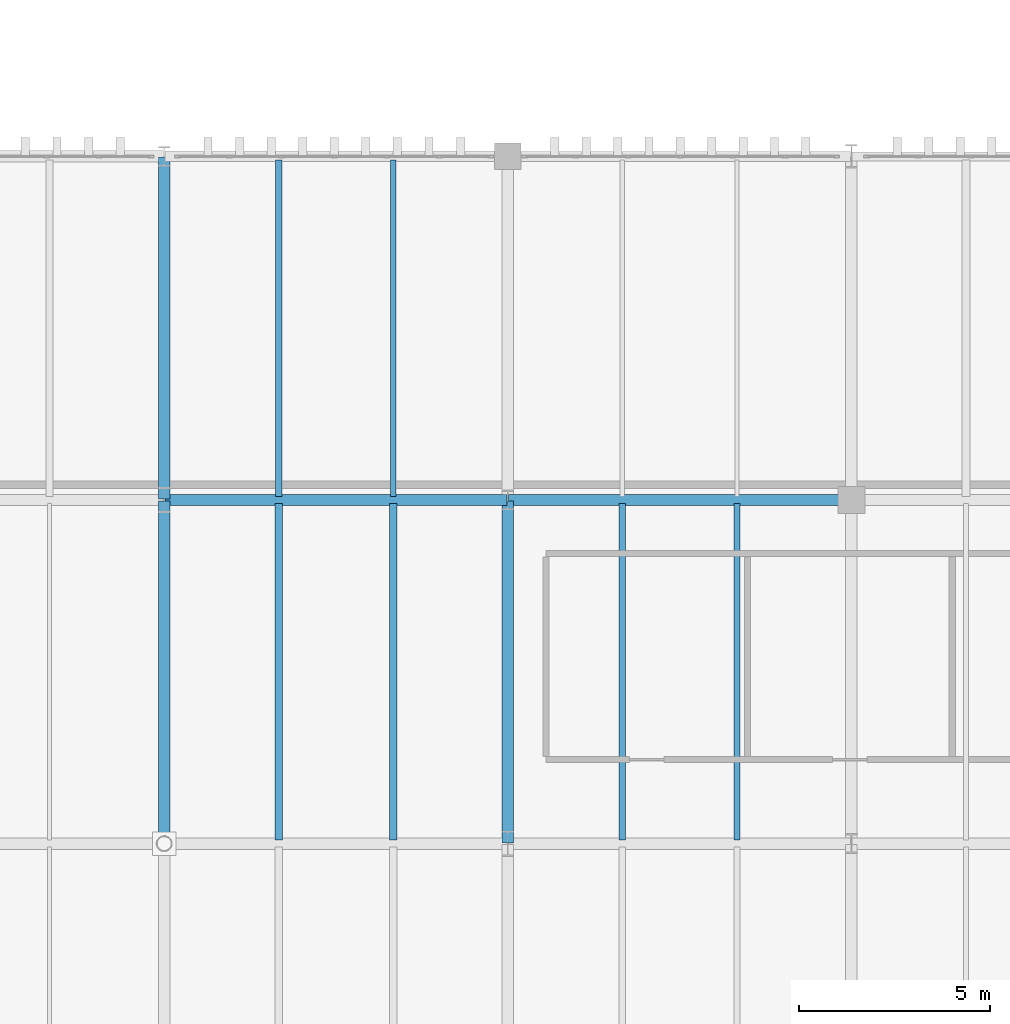
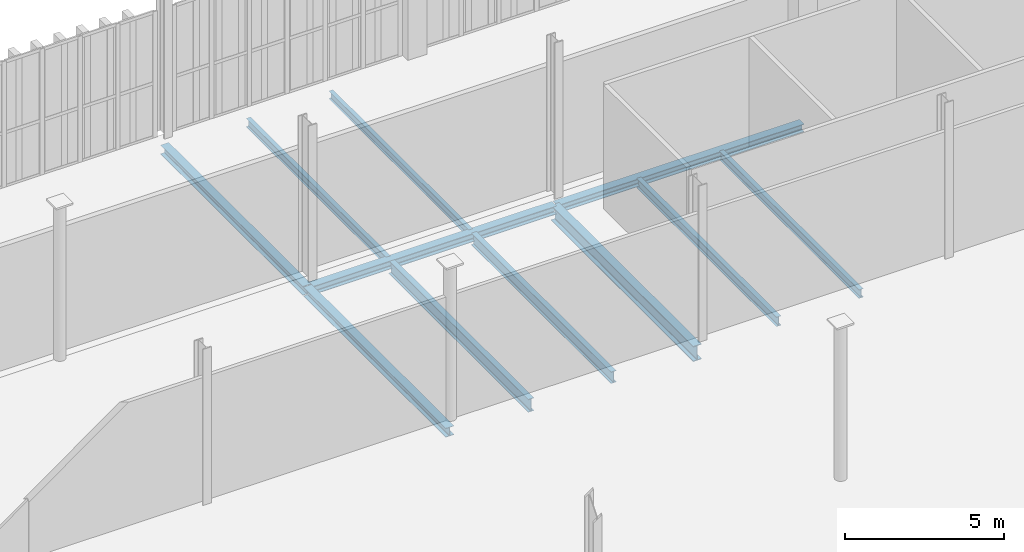
# One storey, part 122 of 237: 11 beams.
"""IFC4 building model written with IfcOpenShell, lengths in metres."""

from ifc_helpers import new_model, si_unit, direction, frame, origin, origin_2d, place, context, subcontext, project, spatial, i_section, extrude, material, material_profile, profile_set, type_object, element, save


model = new_model("IFC4")

# Units and contexts
model_context = context("Model", 3, precision=1e-05, world=origin(), true_north=direction((0.0, 1.0)))
body_context = subcontext(model_context, "Body", "Model", "MODEL_VIEW")
ifc_project = project(units=[si_unit("LENGTHUNIT", "METRE"), si_unit("AREAUNIT", "SQUARE_METRE"), si_unit("VOLUMEUNIT", "CUBIC_METRE"), si_unit("PLANEANGLEUNIT", "RADIAN"), si_unit("MASSUNIT", "GRAM", prefix="KILO")], contexts=[model_context])

# Site, building, storey
site_placement = place(None, origin())
site = spatial("IfcSite", under=ifc_project, at=site_placement, CompositionType="ELEMENT")
building_placement = place(site_placement, origin())
building = spatial("IfcBuilding", under=site, at=building_placement, Name="Barlavento Convention Centre", CompositionType="ELEMENT")
storey_placement = place(building_placement, frame((0.0, 0.0, 12.0)))
storey = spatial("IfcBuildingStorey", under=building, at=storey_placement, Name="L02", CompositionType="ELEMENT", Elevation=12.0)

# Beams
ifc_material = material(Name="Steel S355", Category="steel")
ifc_material_profile_1 = material_profile(ifc_material, i_section(OverallWidth=0.14990234375, OverallDepth=0.300048828125, WebThickness=0.007080078125, FlangeThickness=0.0107421875, FilletRadius=0.014892578125, at=origin_2d()), Name="IPE 300")
ifc_profile_set_1 = profile_set([ifc_material_profile_1], Name="Steel S355")
beam_type_1 = type_object("IfcBeamType", Name="STR-BM-JST-IPE300", PredefinedType="JOIST", material=ifc_profile_set_1)
beam_1_placement = place(storey_placement, frame((150.0, 54.094970703125, -0.52001953125), z_axis=(0.0, 1.0, 0.0), x_axis=(-1.0, 0.0, 0.0)))
element("IfcBeam", 1, at=beam_1_placement, inside=storey, type_object=beam_type_1, Name="L02 composite floor joist SJ07", PredefinedType="JOIST", context=body_context, shape_type="SweptSolid", body=[
    extrude(i_section(OverallWidth=0.14990234375, OverallDepth=0.300048828125, WebThickness=0.007080078125, FlangeThickness=0.0107421875, FilletRadius=0.014892578125, at=origin_2d()), origin(), (0.0, 0.0, 1.0), 8.81005859375),
])
ifc_material_profile_2 = material_profile(ifc_material, i_section(OverallWidth=0.159912109375, OverallDepth=0.330078125, WebThickness=0.007568359375, FlangeThickness=0.011474609375, FilletRadius=0.01806640625, at=origin_2d()), Name="IPE 330")
ifc_profile_set_2 = profile_set([ifc_material_profile_2], Name="Steel S355")
beam_type_2 = type_object("IfcBeamType", Name="STR-BM-JST-IPE330", PredefinedType="JOIST", material=ifc_profile_set_2)
for number, where, z_axis, x_axis, name in (
    (2, (159.0, 45.094970703125, -0.534912109375), (0.0, 1.0, 0.0), (-1.0, 0.0, 0.0), "L02 composite floor joist SJ06"),
    (3, (147.0, 54.094970703125, -0.534912109375), (0.0, 1.0, 0.0), (-1.0, 0.0, 0.0), "L02 composite floor joist SJ06"),
):
    element("IfcBeam", number, at=place(storey_placement, frame(where, z_axis=z_axis, x_axis=x_axis)), inside=storey, type_object=beam_type_2, Name=name, PredefinedType="JOIST", context=body_context, shape_type="SweptSolid", body=[
        extrude(i_section(OverallWidth=0.159912109375, OverallDepth=0.330078125, WebThickness=0.007568359375, FlangeThickness=0.011474609375, FilletRadius=0.01806640625, at=origin_2d()), origin(), (0.0, 0.0, 1.0), 8.81005859375),
    ])
ifc_material_profile_3 = material_profile(ifc_material, i_section(OverallWidth=0.169921875, OverallDepth=0.360107421875, WebThickness=0.008056640625, FlangeThickness=0.0126953125, FilletRadius=0.01806640625, at=origin_2d()), Name="IPE 360")
ifc_profile_set_3 = profile_set([ifc_material_profile_3], Name="Steel S355")
beam_type_3 = type_object("IfcBeamType", Name="STR-BM-JST-IPE360", PredefinedType="JOIST", material=ifc_profile_set_3)
beam_2_placement = place(storey_placement, frame((156.0, 45.094970703125, -0.550048828125), z_axis=(0.0, 1.0, 0.0), x_axis=(-1.0, 0.0, 0.0)))
element("IfcBeam", 4, at=beam_2_placement, inside=storey, type_object=beam_type_3, Name="L02 composite floor joist SJ05", PredefinedType="JOIST", context=body_context, shape_type="SweptSolid", body=[
    extrude(i_section(OverallWidth=0.169921875, OverallDepth=0.360107421875, WebThickness=0.008056640625, FlangeThickness=0.0126953125, FilletRadius=0.01806640625, at=origin_2d()), origin(), (0.0, 0.0, 1.0), 8.81005859375),
])
ifc_material_profile_4 = material_profile(ifc_material, i_section(OverallWidth=0.18994140625, OverallDepth=0.449951171875, WebThickness=0.009521484375, FlangeThickness=0.0146484375, FilletRadius=0.02099609375, at=origin_2d()), Name="IPE 450")
ifc_profile_set_4 = profile_set([ifc_material_profile_4], Name="Steel S355")
beam_type_4 = type_object("IfcBeamType", Name="STR-BM-JST-IPE450", PredefinedType="JOIST", material=ifc_profile_set_4)
beam_3_placement = place(storey_placement, frame((150.0, 45.094970703125, -0.594970703125), z_axis=(0.0, 1.0, 0.0), x_axis=(-1.0, 0.0, 0.0)))
element("IfcBeam", 5, at=beam_3_placement, inside=storey, type_object=beam_type_4, Name="L02 composite floor joist SJ03", PredefinedType="JOIST", context=body_context, shape_type="SweptSolid", body=[
    extrude(i_section(OverallWidth=0.18994140625, OverallDepth=0.449951171875, WebThickness=0.009521484375, FlangeThickness=0.0146484375, FilletRadius=0.02099609375, at=origin_2d()), origin(), (0.0, 0.0, 1.0), 8.81005859375),
])
ifc_material_profile_5 = material_profile(ifc_material, i_section(OverallWidth=0.199951171875, OverallDepth=0.5, WebThickness=0.01025390625, FlangeThickness=0.01611328125, FilletRadius=0.02099609375, at=origin_2d()), Name="IPE 500")
ifc_profile_set_5 = profile_set([ifc_material_profile_5], Name="Steel S355")
beam_type_5 = type_object("IfcBeamType", Name="STR-BM-JST-IPE500", PredefinedType="JOIST", material=ifc_profile_set_5)
beam_4_placement = place(storey_placement, frame((147.0, 45.094970703125, -0.6201171875), z_axis=(0.0, 1.0, 0.0), x_axis=(-1.0, 0.0, 0.0)))
element("IfcBeam", 6, at=beam_4_placement, inside=storey, type_object=beam_type_5, Name="L02 composite floor joist SJ02", PredefinedType="JOIST", context=body_context, shape_type="SweptSolid", body=[
    extrude(i_section(OverallWidth=0.199951171875, OverallDepth=0.5, WebThickness=0.01025390625, FlangeThickness=0.01611328125, FilletRadius=0.02099609375, at=origin_2d()), origin(), (0.0, 0.0, 1.0), 8.81005859375),
])
ifc_material_profile_6 = material_profile(ifc_material, i_section(OverallWidth=0.300048828125, OverallDepth=0.35009765625, WebThickness=0.010009765625, FlangeThickness=0.017578125, FilletRadius=0.027099609375, at=origin_2d()), Name="HEA 360")
ifc_profile_set_6 = profile_set([ifc_material_profile_6], Name="Steel S355")
beam_type_6 = type_object("IfcBeamType", Name="STR-BM-PRI-HEA360", PredefinedType="BEAM", material=ifc_profile_set_6)
for number, where, z_axis, x_axis, name in (
    (7, (144.0, 45.02001953125, -0.544921875), (0.0, 1.0, 0.0), (-1.0, 0.0, 0.0), "L02 grid girder BG23"),
    (8, (144.0, 54.02001953125, -0.544921875), (0.0, 1.0, 0.0), (-1.0, 0.0, 0.0), "L02 grid girder BG23"),
):
    element("IfcBeam", number, at=place(storey_placement, frame(where, z_axis=z_axis, x_axis=x_axis)), inside=storey, type_object=beam_type_6, Name=name, PredefinedType="BEAM", context=body_context, shape_type="SweptSolid", body=[
        extrude(i_section(OverallWidth=0.300048828125, OverallDepth=0.35009765625, WebThickness=0.010009765625, FlangeThickness=0.017578125, FilletRadius=0.027099609375, at=origin_2d()), origin(), (0.0, 0.0, 1.0), 8.9599609375),
    ])
ifc_material_profile_7 = material_profile(ifc_material, i_section(OverallWidth=0.300048828125, OverallDepth=0.590087890625, WebThickness=0.012939453125, FlangeThickness=0.02490234375, FilletRadius=0.027099609375, at=origin_2d()), Name="HEA 600")
ifc_profile_set_7 = profile_set([ifc_material_profile_7], Name="Steel S355")
beam_type_7 = type_object("IfcBeamType", Name="STR-BM-PRI-HEA600", PredefinedType="BEAM", material=ifc_profile_set_7)
beam_5_placement = place(storey_placement, frame((153.0, 45.02001953125, -0.6650390625), z_axis=(0.0, 1.0, 0.0), x_axis=(-1.0, 0.0, 0.0)))
element("IfcBeam", 9, at=beam_5_placement, inside=storey, type_object=beam_type_7, Name="L02 grid girder BG18", PredefinedType="BEAM", context=body_context, shape_type="SweptSolid", body=[
    extrude(i_section(OverallWidth=0.300048828125, OverallDepth=0.590087890625, WebThickness=0.012939453125, FlangeThickness=0.02490234375, FilletRadius=0.027099609375, at=origin_2d()), origin(), (0.0, 0.0, 1.0), 8.9599609375),
])
ifc_material_profile_8 = material_profile(ifc_material, i_section(OverallWidth=0.300048828125, OverallDepth=0.300048828125, WebThickness=0.010986328125, FlangeThickness=0.01904296875, FilletRadius=0.027099609375, at=origin_2d()), Name="HEB 300")
ifc_profile_set_8 = profile_set([ifc_material_profile_8], Name="Steel S355")
beam_type_8 = type_object("IfcBeamType", Name="STR-BM-PRI-HEB300", PredefinedType="BEAM", material=ifc_profile_set_8)
beam_6_placement = place(storey_placement, frame((153.02001953125, 54.0, -0.52001953125), z_axis=(1.0, 0.0, 0.0), x_axis=(0.0, 1.0, 0.0)))
element("IfcBeam", 10, at=beam_6_placement, inside=storey, type_object=beam_type_8, Name="L02 primary girder BG14", PredefinedType="BEAM", context=body_context, shape_type="SweptSolid", body=[
    extrude(i_section(OverallWidth=0.300048828125, OverallDepth=0.300048828125, WebThickness=0.010986328125, FlangeThickness=0.01904296875, FilletRadius=0.027099609375, at=origin_2d()), origin(), (0.0, 0.0, 1.0), 8.9599609375),
])
ifc_material_profile_9 = material_profile(ifc_material, i_section(OverallWidth=0.300048828125, OverallDepth=0.320068359375, WebThickness=0.011474609375, FlangeThickness=0.0205078125, FilletRadius=0.027099609375, at=origin_2d()), Name="HEB 320")
ifc_profile_set_9 = profile_set([ifc_material_profile_9], Name="Steel S355")
beam_type_9 = type_object("IfcBeamType", Name="STR-BM-PRI-HEB320", PredefinedType="BEAM", material=ifc_profile_set_9)
beam_7_placement = place(storey_placement, frame((144.02001953125, 54.0, -0.530029296875), z_axis=(1.0, 0.0, 0.0), x_axis=(0.0, 1.0, 0.0)))
element("IfcBeam", 11, at=beam_7_placement, inside=storey, type_object=beam_type_9, Name="L02 primary girder BG13", PredefinedType="BEAM", context=body_context, shape_type="SweptSolid", body=[
    extrude(i_section(OverallWidth=0.300048828125, OverallDepth=0.320068359375, WebThickness=0.011474609375, FlangeThickness=0.0205078125, FilletRadius=0.027099609375, at=origin_2d()), origin(), (0.0, 0.0, 1.0), 8.9599609375),
])

save(model, "model.ifc")
